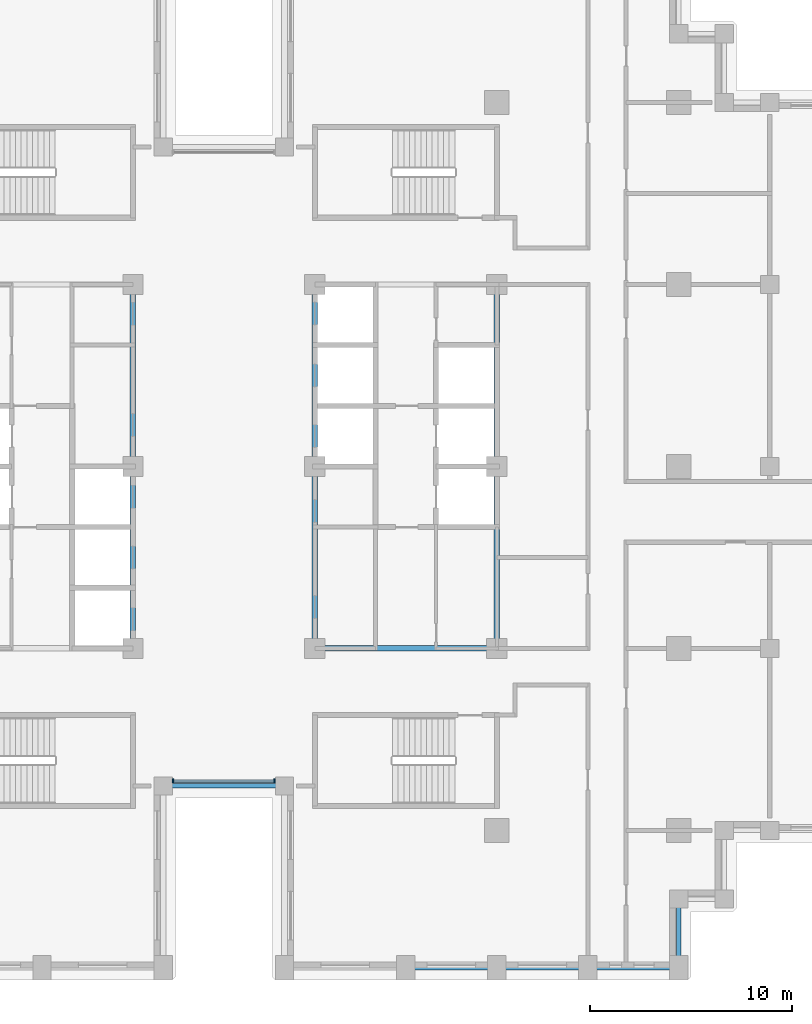
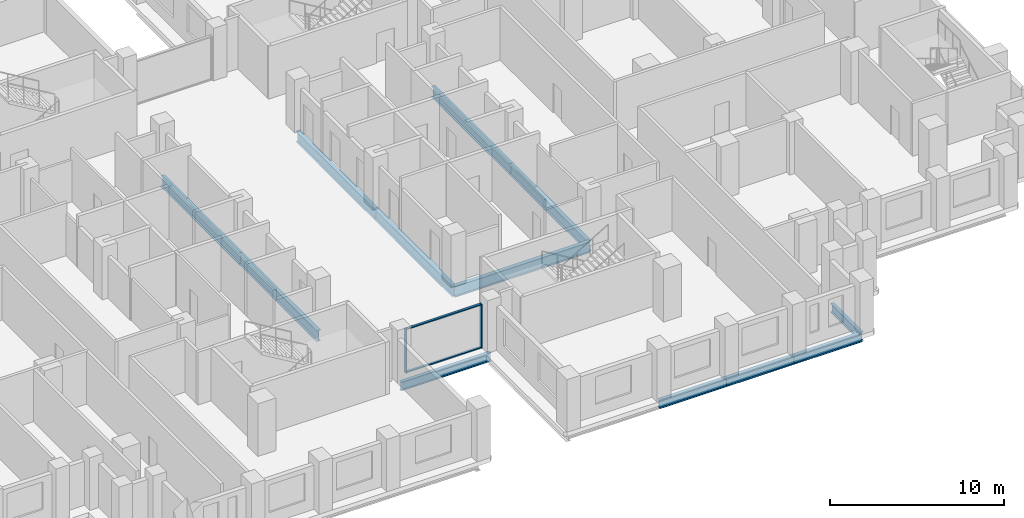
# One storey, part 2 of 15: 12 beams, 4 members, 1 element without a shape of its own.
"""IFC4 building model written with IfcOpenShell, lengths in metres."""

import ifcopenshell
import ifcopenshell.guid

model = None  # the IFC model being written
_history = None  # IfcOwnerHistory: only IFC2X3 demands one
_inside = {}  # id of a spatial element -> (the spatial element, [elements in it])
_under = {}  # id of a project, library or spatial element -> (it, [spatial elements below it])
_declared = {}  # id of a project -> (the project, [libraries it declares])
_typed = {}  # id of a type object -> (the type object, [elements of that type])
_made_of = {}  # id of a material, layer set ... -> (it, [elements and type objects made of it])


def new_model(schema):
    """Start an empty IFC model of exactly this schema.

    Asked for "IFC4X3", IfcOpenShell would pick the latest addendum, in which some entities
    have other attributes; the version numbers below select the first issue.
    IFC2X3 requires an IfcOwnerHistory on every rooted entity: one is made here for all.
    """
    global model, _history
    if schema == "IFC4X3":
        model = ifcopenshell.file(schema_version=(4, 3, 0, 0))
    else:
        model = ifcopenshell.file(schema=schema)
    _inside.clear()
    _under.clear()
    _declared.clear()
    _typed.clear()
    _made_of.clear()
    _history = None
    if model.schema == "IFC2X3":
        org = make("IfcOrganization", Name="unknown")
        user = make(
            "IfcPersonAndOrganization",
            ThePerson=make("IfcPerson", FamilyName="unknown"),
            TheOrganization=org,
        )
        app = make(
            "IfcApplication",
            ApplicationDeveloper=org,
            Version="unknown",
            ApplicationFullName="unknown",
            ApplicationIdentifier="unknown",
        )
        _history = make(
            "IfcOwnerHistory",
            OwningUser=user,
            OwningApplication=app,
            ChangeAction="ADDED",
            CreationDate=0,
        )
    return model


def make(cls, **values):
    """One entity of the class cls with the attributes given. An attribute that is None is left unset."""
    return model.create_entity(
        cls, **{name: value for name, value in values.items() if value is not None}
    )


def rooted(cls, **values):
    """An entity with a GlobalId (a new one), such as an element, a storey or a relation."""
    return make(cls, GlobalId=ifcopenshell.guid.new(), OwnerHistory=_history, **values)


def si_unit(unit_type, name, prefix=None):
    """IfcSIUnit, for example si_unit("LENGTHUNIT", "METRE", prefix="MILLI")."""
    return make("IfcSIUnit", UnitType=unit_type, Prefix=prefix, Name=name)


def assignment(units):
    """IfcUnitAssignment: the units of a project."""
    return None if units is None else make("IfcUnitAssignment", Units=units)


def point(xyz):
    """IfcCartesianPoint."""
    return None if xyz is None else make("IfcCartesianPoint", Coordinates=xyz)


def direction(xyz):
    """IfcDirection."""
    return None if xyz is None else make("IfcDirection", DirectionRatios=xyz)


def frame(location, z_axis=None, x_axis=None):
    """IfcAxis2Placement3D, a coordinate frame: its origin and axes. An axis left out is left unset."""
    return make(
        "IfcAxis2Placement3D",
        Location=point(location),
        Axis=direction(z_axis),
        RefDirection=direction(x_axis),
    )


def frame_2d(location, x_axis=None):
    """IfcAxis2Placement2D, a coordinate frame in the plane: its origin and x axis."""
    return make(
        "IfcAxis2Placement2D", Location=point(location), RefDirection=direction(x_axis)
    )


def origin():
    """The frame at (0, 0, 0) with its axes left unset."""
    return frame((0.0, 0.0, 0.0))


def origin_2d():
    """The frame at (0, 0) in the plane with its x axis left unset."""
    return frame_2d((0.0, 0.0))


def place(relative_to, where):
    """IfcLocalPlacement: puts the frame where relative to a parent placement (None: the world)."""
    return make(
        "IfcLocalPlacement", PlacementRelTo=relative_to, RelativePlacement=where
    )


def context(
    kind, dimensions, precision=None, world=None, true_north=None, identifier=None
):
    """IfcGeometricRepresentationContext, for example the 3D "Model" context."""
    return make(
        "IfcGeometricRepresentationContext",
        ContextIdentifier=identifier,
        ContextType=kind,
        CoordinateSpaceDimension=dimensions,
        Precision=precision,
        WorldCoordinateSystem=world,
        TrueNorth=true_north,
    )


def subcontext(parent, identifier, kind, view, scale=None):
    """IfcGeometricRepresentationSubContext, for example "Body" below "Model"."""
    return make(
        "IfcGeometricRepresentationSubContext",
        ContextIdentifier=identifier,
        ContextType=kind,
        ParentContext=parent,
        TargetScale=scale,
        TargetView=view,
    )


def project(units=None, contexts=None):
    """IfcProject with its units and contexts."""
    return rooted(
        "IfcProject",
        Name="project",
        RepresentationContexts=contexts,
        UnitsInContext=assignment(units),
    )


def spatial(cls, under=None, at=None, **own):
    """A site, building, storey or space (cls), placed at a placement, below another one or the project."""
    s = rooted(cls, ObjectPlacement=at, **own)
    if under is not None:
        _under.setdefault(under.id(), (under, []))[1].append(s)
    return s


def profile(cls, at=None, kind="AREA", **sizes):
    """A parametric profile (cls). Its sizes go by their IFC names, for example OverallWidth=200.0."""
    return make(cls, ProfileType=kind, Position=at, **sizes)


def rectangle(**sizes):
    """IfcRectangleProfileDef."""
    return profile("IfcRectangleProfileDef", **sizes)


def i_section(**sizes):
    """IfcIShapeProfileDef."""
    return profile("IfcIShapeProfileDef", **sizes)


def extrude(swept, where, along, depth):
    """IfcExtrudedAreaSolid: the profile swept, set in the frame where, extruded along a direction by depth."""
    return make(
        "IfcExtrudedAreaSolid",
        SweptArea=swept,
        Position=where,
        ExtrudedDirection=direction(along),
        Depth=depth,
    )


def shape(context_of_items, identifier, shape_type, items):
    """IfcShapeRepresentation: the items that make up one representation, for example the "Body"."""
    return make(
        "IfcShapeRepresentation",
        ContextOfItems=context_of_items,
        RepresentationIdentifier=identifier,
        RepresentationType=shape_type,
        Items=items,
    )


def material(Name=None, Category=None):
    """IfcMaterial."""
    return make("IfcMaterial", Name=Name, Category=Category)


def layer(
    of_material, thickness, ventilated=None, Name=None, Category=None, Priority=None
):
    """IfcMaterialLayer: one layer of a wall or slab, of a material (None: an air gap)."""
    return make(
        "IfcMaterialLayer",
        Material=of_material,
        LayerThickness=thickness,
        IsVentilated=ventilated,
        Name=Name,
        Category=Category,
        Priority=Priority,
    )


def layer_set(layers, Name=None):
    """IfcMaterialLayerSet."""
    return make("IfcMaterialLayerSet", MaterialLayers=layers, LayerSetName=Name)


def material_profile(
    of_material, cross_section, Name=None, Category=None, Priority=None
):
    """IfcMaterialProfile: a cross section and its material."""
    return make(
        "IfcMaterialProfile",
        Name=Name,
        Material=of_material,
        Profile=cross_section,
        Priority=Priority,
        Category=Category,
    )


def profile_set(profiles, Name=None, composite=None):
    """IfcMaterialProfileSet."""
    return make(
        "IfcMaterialProfileSet",
        Name=Name,
        MaterialProfiles=profiles,
        CompositeProfile=composite,
    )


def made_of(thing, what):
    """Note that an element or type object is made of a material, layer set ...; save() writes the relation."""
    if what is not None:
        _made_of.setdefault(what.id(), (what, []))[1].append(thing)
    return thing


def type_object(cls, material=None, **own):
    """A type object (cls), such as IfcWallType, which elements share."""
    return made_of(rooted(cls, **own), material)


def element(
    cls,
    number,
    at=None,
    inside=None,
    cuts=None,
    type_object=None,
    material=None,
    context=None,
    identifier="Body",
    shape_type=None,
    held_by="IfcProductDefinitionShape",
    body=None,
    shapes=None,
    **own,
):
    """One element of the class cls, such as IfcWall. Its Tag is "e" and its number.

    at: its placement. inside: the storey or other place that contains it. cuts: it is an
    opening in that element (IfcRelVoidsElement). A single representation is given by context,
    identifier, shape_type and body (its items); several are given by shapes. held_by: the class
    of the entity that holds the representations. save() writes the other relations.
    """
    e = rooted(cls, Tag="e%d" % number, ObjectPlacement=at, **own)
    if body is not None:
        shapes = [shape(context, identifier, shape_type, body)]
    if shapes is not None:
        e.Representation = make(held_by, Representations=shapes)
    if inside is not None:
        _inside.setdefault(inside.id(), (inside, []))[1].append(e)
    if cuts is not None:
        rooted(
            "IfcRelVoidsElement", RelatingBuildingElement=cuts, RelatedOpeningElement=e
        )
    if type_object is not None:
        _typed.setdefault(type_object.id(), (type_object, []))[1].append(e)
    return made_of(e, material)


def aggregate(whole, parts):
    """IfcRelAggregates: a whole, such as a stair, and the parts it consists of."""
    return rooted("IfcRelAggregates", RelatingObject=whole, RelatedObjects=parts)


def save(model, path):
    """Write the relations noted so far, then the file.

    IfcRelAggregates (storeys below a building ...), IfcRelContainedInSpatialStructure (elements
    in a storey), IfcRelDefinesByType, IfcRelAssociatesMaterial and IfcRelDeclares: one each for
    every whole, place, type object, material and project.
    """
    for whole, parts in _under.values():
        aggregate(whole, parts)
    for where, things in _inside.values():
        rooted(
            "IfcRelContainedInSpatialStructure",
            RelatedElements=things,
            RelatingStructure=where,
        )
    for kind, things in _typed.values():
        rooted("IfcRelDefinesByType", RelatedObjects=things, RelatingType=kind)
    for what, things in _made_of.values():
        rooted("IfcRelAssociatesMaterial", RelatedObjects=things, RelatingMaterial=what)
    for by, libraries in _declared.values():
        rooted("IfcRelDeclares", RelatingContext=by, RelatedDefinitions=libraries)
    model.write(path)


model = new_model("IFC4")

# Units and contexts
model_context = context("Model", 3, precision=1e-05, world=origin(), true_north=direction((0.0, 1.0)))
body_context = subcontext(model_context, "Body", "Model", "MODEL_VIEW")
ifc_project = project(units=[si_unit("LENGTHUNIT", "METRE"), si_unit("AREAUNIT", "SQUARE_METRE"), si_unit("VOLUMEUNIT", "CUBIC_METRE"), si_unit("PLANEANGLEUNIT", "RADIAN"), si_unit("MASSUNIT", "GRAM", prefix="KILO")], contexts=[model_context])

# Site, building, storey
site_placement = place(None, origin())
site = spatial("IfcSite", under=ifc_project, at=site_placement, CompositionType="ELEMENT")
building_placement = place(site_placement, origin())
building = spatial("IfcBuilding", under=site, at=building_placement, Name="Corbelhall Arena Tower", CompositionType="ELEMENT")
storey_placement = place(building_placement, frame((0.0, 0.0, 96.0)))
storey = spatial("IfcBuildingStorey", under=building, at=storey_placement, Name="L16", CompositionType="ELEMENT", Elevation=96.0)

# Curtain wall, members
ifc_material_1 = material(Name="Aluminium black anodised", Category="aluminium")
ifc_layer = layer(ifc_material_1, 0.199951171875)
ifc_layer_set = layer_set([ifc_layer], Name="EV-CW1 Slot back wall")
curtain_wall_type = type_object("IfcCurtainWallType", Name="EV-CW1 Slot back wall", PredefinedType="NOTDEFINED", material=ifc_layer_set)
curtain_wall_placement = place(storey_placement, origin())
curtain_wall = element("IfcCurtainWall", 1, at=curtain_wall_placement, inside=storey, type_object=curtain_wall_type, Name="Curtain wall CW1", PredefinedType="NOTDEFINED")
ifc_material_profile_1 = material_profile(ifc_material_1, rectangle(XDim=0.199951171875, YDim=0.074951171875, at=origin_2d()))
ifc_profile_set_1 = profile_set([ifc_material_profile_1], Name="Aluminium black anodised")
member_type_1 = type_object("IfcMemberType", Name="EV-CW1-MULLION", PredefinedType="MULLION", material=ifc_profile_set_1)
member_1_placement = place(storey_placement, frame((-2.512451171875, -15.550048828125, 0.0), z_axis=(0.0, 0.0, 1.0), x_axis=(0.0, 1.0, 0.0)))
member_1 = element("IfcMember", 2, at=member_1_placement, type_object=member_type_1, Name="CW1 mullion 1", PredefinedType="MULLION", context=body_context, shape_type="SweptSolid", body=[
    extrude(rectangle(XDim=0.199951171875, YDim=0.074951171875, at=origin_2d()), origin(), (0.0, 0.0, 1.0), 3.10009765625),
])
member_2_placement = place(storey_placement, frame((2.512451171875, -15.550048828125, 0.0), z_axis=(0.0, 0.0, 1.0), x_axis=(0.0, 1.0, 0.0)))
member_2 = element("IfcMember", 3, at=member_2_placement, type_object=member_type_1, Name="CW1 mullion 2", PredefinedType="MULLION", context=body_context, shape_type="SweptSolid", body=[
    extrude(rectangle(XDim=0.199951171875, YDim=0.074951171875, at=origin_2d()), origin(), (0.0, 0.0, 1.0), 3.10009765625),
])
ifc_material_profile_2 = material_profile(ifc_material_1, rectangle(XDim=0.14990234375, YDim=0.074951171875, at=origin_2d()))
ifc_profile_set_2 = profile_set([ifc_material_profile_2], Name="Aluminium black anodised")
member_type_2 = type_object("IfcMemberType", Name="EV-CW1-TRANSOM", PredefinedType="USERDEFINED", material=ifc_profile_set_2)
member_3_placement = place(storey_placement, frame((-2.47509765625, -15.550048828125, 0.03759765625), z_axis=(1.0, 0.0, 0.0), x_axis=(0.0, 1.0, 0.0)))
member_3 = element("IfcMember", 4, at=member_3_placement, type_object=member_type_2, Name="CW1 transom 1.1", ObjectType="transom", PredefinedType="USERDEFINED", context=body_context, shape_type="SweptSolid", body=[
    extrude(rectangle(XDim=0.14990234375, YDim=0.074951171875, at=origin_2d()), origin(), (0.0, 0.0, 1.0), 4.9501953125),
])
member_4_placement = place(storey_placement, frame((-2.47509765625, -15.550048828125, 3.0625), z_axis=(1.0, 0.0, 0.0), x_axis=(0.0, 1.0, 0.0)))
member_4 = element("IfcMember", 5, at=member_4_placement, type_object=member_type_2, Name="CW1 transom 1.2", ObjectType="transom", PredefinedType="USERDEFINED", context=body_context, shape_type="SweptSolid", body=[
    extrude(rectangle(XDim=0.14990234375, YDim=0.074951171875, at=origin_2d()), origin(), (0.0, 0.0, 1.0), 4.9501953125),
])
aggregate(curtain_wall, [member_1, member_2, member_3, member_4])

# Beams
ifc_material_2 = material(Name="Steel ASTM A992 Gr50", Category="steel")
ifc_material_profile_3 = material_profile(ifc_material_2, i_section(OverallWidth=0.2666015625, OverallDepth=0.761962890625, WebThickness=0.014404296875, FlangeThickness=0.021484375, at=origin_2d()))
ifc_profile_set_3 = profile_set([ifc_material_profile_3], Name="Steel ASTM A992 Gr50")
beam_type_1 = type_object("IfcBeamType", Name="ST-BEAM-W30x116", PredefinedType="BEAM", material=ifc_profile_set_3)
for number, where, z_axis, x_axis, name in (
    (6, (-4.5, -9.0, -0.680908203125), (0.0, 1.0, 0.0), (-1.0, 0.0, 0.0), "Beam CEW 3"),
    (7, (-4.5, 0.0, -0.680908203125), (0.0, 1.0, 0.0), (-1.0, 0.0, 0.0), "Beam CEW 4"),
    (8, (4.5, -9.0, -0.680908203125), (0.0, 1.0, 0.0), (-1.0, 0.0, 0.0), "Beam CEE 7"),
    (9, (4.5, 0.0, -0.680908203125), (0.0, 1.0, 0.0), (-1.0, 0.0, 0.0), "Beam CEE 8"),
    (10, (13.5, -9.0, -0.680908203125), (0.0, 1.0, 0.0), (-1.0, 0.0, 0.0), "Beam CEE 9"),
    (11, (13.5, 0.0, -0.680908203125), (0.0, 1.0, 0.0), (-1.0, 0.0, 0.0), "Beam CEE 10"),
    (12, (4.5, -9.0, -0.680908203125), (1.0, 0.0, 0.0), (0.0, 1.0, 0.0), "Beam CEE 11"),
):
    element("IfcBeam", number, at=place(storey_placement, frame(where, z_axis=z_axis, x_axis=x_axis)), inside=storey, type_object=beam_type_1, Name=name, PredefinedType="BEAM", context=body_context, shape_type="SweptSolid", body=[
        extrude(i_section(OverallWidth=0.2666015625, OverallDepth=0.761962890625, WebThickness=0.014404296875, FlangeThickness=0.021484375, at=origin_2d()), origin(), (0.0, 0.0, 1.0), 9.0),
    ])
ifc_material_profile_4 = material_profile(ifc_material_2, i_section(OverallWidth=0.23046875, OverallDepth=0.6171875, WebThickness=0.01318359375, FlangeThickness=0.022216796875, at=origin_2d()))
ifc_profile_set_4 = profile_set([ifc_material_profile_4], Name="Steel ASTM A992 Gr50")
beam_type_2 = type_object("IfcBeamType", Name="ST-SPANDREL-W24x94", PredefinedType="SPANDREL", material=ifc_profile_set_4)
for number, where, z_axis, x_axis, name in (
    (13, (13.5, -24.800048828125, -0.608642578125), (-1.0, 0.0, 0.0), (0.0, -1.0, 0.0), "Beam SP 29"),
    (14, (18.0, -24.800048828125, -0.608642578125), (-1.0, 0.0, 0.0), (0.0, -1.0, 0.0), "Beam SP 30"),
    (15, (22.5, -24.800048828125, -0.608642578125), (-1.0, 0.0, 0.0), (0.0, -1.0, 0.0), "Beam SP 31"),
):
    element("IfcBeam", number, at=place(storey_placement, frame(where, z_axis=z_axis, x_axis=x_axis)), inside=storey, type_object=beam_type_2, Name=name, PredefinedType="SPANDREL", context=body_context, shape_type="SweptSolid", body=[
        extrude(i_section(OverallWidth=0.23046875, OverallDepth=0.6171875, WebThickness=0.01318359375, FlangeThickness=0.022216796875, at=origin_2d()), origin(), (0.0, 0.0, 1.0), 4.5),
    ])
beam_1_placement = place(storey_placement, frame((3.0, -15.800048828125, -0.608642578125), z_axis=(-1.0, 0.0, 0.0), x_axis=(0.0, -1.0, 0.0)))
element("IfcBeam", 16, at=beam_1_placement, inside=storey, type_object=beam_type_2, Name="Beam SP 41", PredefinedType="SPANDREL", context=body_context, shape_type="SweptSolid", body=[
    extrude(i_section(OverallWidth=0.23046875, OverallDepth=0.6171875, WebThickness=0.01318359375, FlangeThickness=0.022216796875, at=origin_2d()), origin(), (0.0, 0.0, 1.0), 6.0),
])
beam_2_placement = place(storey_placement, frame((22.5, -21.39990234375, -0.608642578125), z_axis=(0.0, -1.0, 0.0), x_axis=(1.0, 0.0, 0.0)))
element("IfcBeam", 17, at=beam_2_placement, inside=storey, type_object=beam_type_2, Name="Beam SP 49", PredefinedType="SPANDREL", context=body_context, shape_type="SweptSolid", body=[
    extrude(i_section(OverallWidth=0.23046875, OverallDepth=0.6171875, WebThickness=0.01318359375, FlangeThickness=0.022216796875, at=origin_2d()), origin(), (0.0, 0.0, 1.0), 3.400146484375),
])

save(model, "model.ifc")
